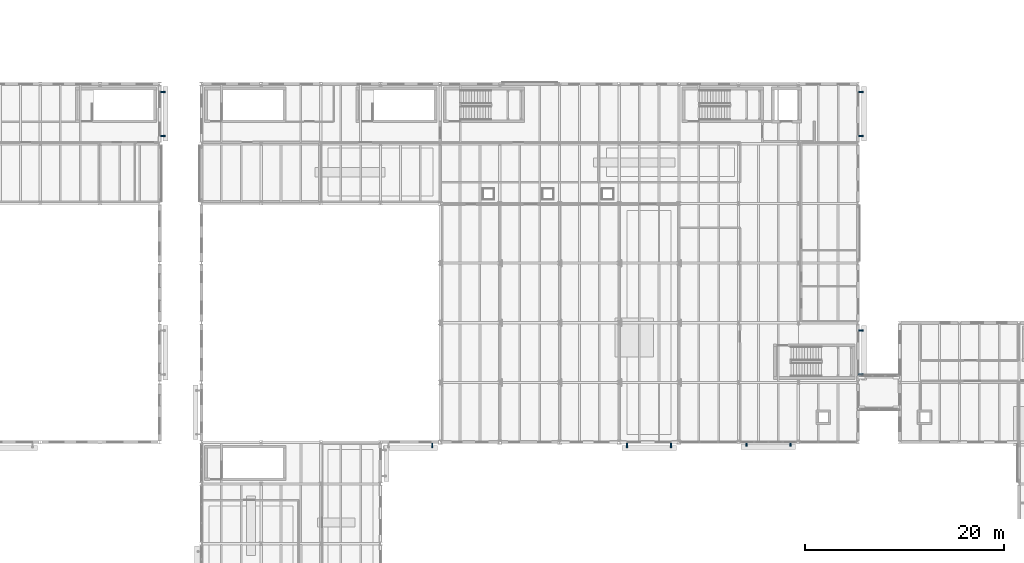
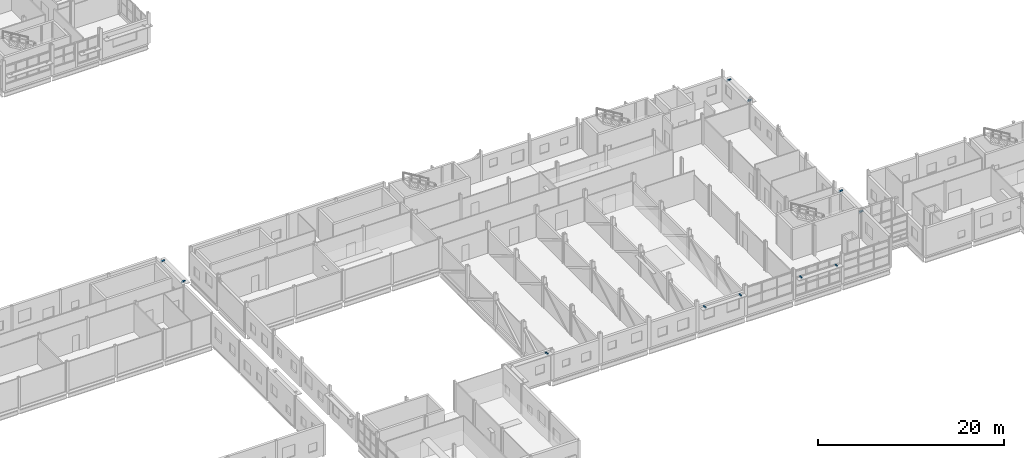
# One storey, part 82 of 92: 11 discrete accessories.
"""IFC4 building model written with IfcOpenShell, lengths in metres."""

from ifc_helpers import new_model, si_unit, direction, frame, origin, origin_2d, place, context, subcontext, project, spatial, rectangle, extrude, material, type_object, element, save


model = new_model("IFC4")

# Units and contexts
model_context = context("Model", 3, precision=1e-05, world=origin(), true_north=direction((0.0, 1.0)))
body_context = subcontext(model_context, "Body", "Model", "MODEL_VIEW")
ifc_project = project(units=[si_unit("LENGTHUNIT", "METRE"), si_unit("AREAUNIT", "SQUARE_METRE"), si_unit("VOLUMEUNIT", "CUBIC_METRE"), si_unit("PLANEANGLEUNIT", "RADIAN"), si_unit("MASSUNIT", "GRAM", prefix="KILO")], contexts=[model_context])

# Site, building, storey
site_placement = place(None, origin())
site = spatial("IfcSite", under=ifc_project, at=site_placement, CompositionType="ELEMENT")
building_placement = place(site_placement, origin())
building = spatial("IfcBuilding", under=site, at=building_placement, Name="Siltcreek Boulevard Central Fire Station", CompositionType="ELEMENT")
storey_placement = place(building_placement, frame((0.0, 0.0, 6.0)))
storey = spatial("IfcBuildingStorey", under=building, at=storey_placement, Name="L02", CompositionType="ELEMENT", Elevation=6.0)

# Discrete accessories
ifc_material = material(Name="Hot-dip galvanized steel facade outrigger bracket", Category="steel")
discrete_accessory_type = type_object("IfcDiscreteAccessoryType", Name="ACC_BRACKET", PredefinedType="BRACKET", material=ifc_material)
for number, where, z_axis, x_axis, name in (
    (1, (65.205078125, 17.679931640625, 3.7802734375), (0.0, 0.0, 1.0), (1.0, 0.0, 0.0), "Galvanized sunshade support bracket BK-008"),
    (2, (84.794921875, 17.679931640625, 3.0029296875), (0.0, 0.0, 1.0), (1.0, 0.0, 0.0), "Galvanized sunshade support bracket BK-019"),
    (3, (89.205078125, 17.679931640625, 3.0029296875), (0.0, 0.0, 1.0), (1.0, 0.0, 0.0), "Galvanized sunshade support bracket BK-020"),
    (4, (96.794921875, 17.820068359375, 2.615234375), (0.0, 0.0, 1.0), (1.0, 0.0, 0.0), "Galvanized sunshade support bracket BK-021"),
    (5, (101.205078125, 17.820068359375, 2.615234375), (0.0, 0.0, 1.0), (1.0, 0.0, 0.0), "Galvanized sunshade support bracket BK-022"),
    (6, (108.320068359375, 24.794921875, 2.93701171875), (0.0, 0.0, 1.0), (0.0, 1.0, 0.0), "Galvanized sunshade support bracket BK-023"),
    (7, (108.320068359375, 29.205078125, 2.93701171875), (0.0, 0.0, 1.0), (0.0, 1.0, 0.0), "Galvanized sunshade support bracket BK-024"),
    (8, (108.320068359375, 48.794921875, 2.93701171875), (0.0, 0.0, 1.0), (0.0, 1.0, 0.0), "Galvanized sunshade support bracket BK-025"),
    (9, (108.320068359375, 53.205078125, 2.93701171875), (0.0, 0.0, 1.0), (0.0, 1.0, 0.0), "Galvanized sunshade support bracket BK-026"),
    (10, (38.1201171875, 48.794921875, 3.7802734375), (0.0, 0.0, 1.0), (0.0, 1.0, 0.0), "Galvanized sunshade support bracket BK-137"),
    (11, (38.1201171875, 53.205078125, 3.7802734375), (0.0, 0.0, 1.0), (0.0, 1.0, 0.0), "Galvanized sunshade support bracket BK-138"),
):
    element("IfcDiscreteAccessory", number, at=place(storey_placement, frame(where, z_axis=z_axis, x_axis=x_axis)), inside=storey, type_object=discrete_accessory_type, Name=name, PredefinedType="BRACKET", context=body_context, shape_type="SweptSolid", body=[
        extrude(rectangle(XDim=0.139892578125, YDim=0.4599609375, at=origin_2d()), origin(), (0.0, 0.0, 1.0), 0.159912109375),
    ])

save(model, "model.ifc")
